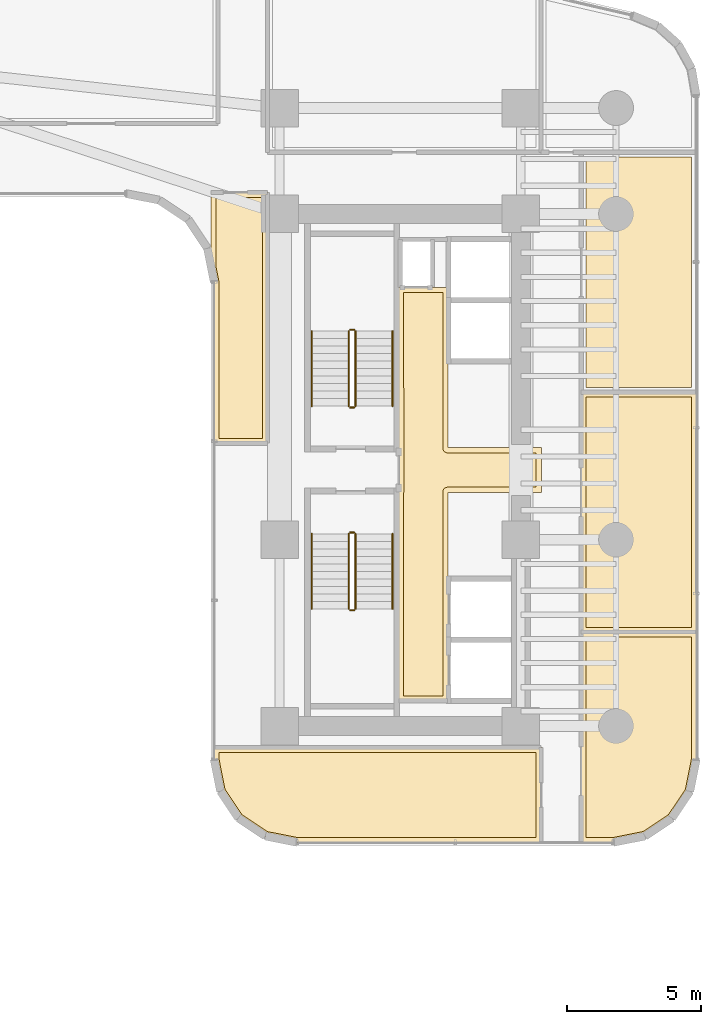
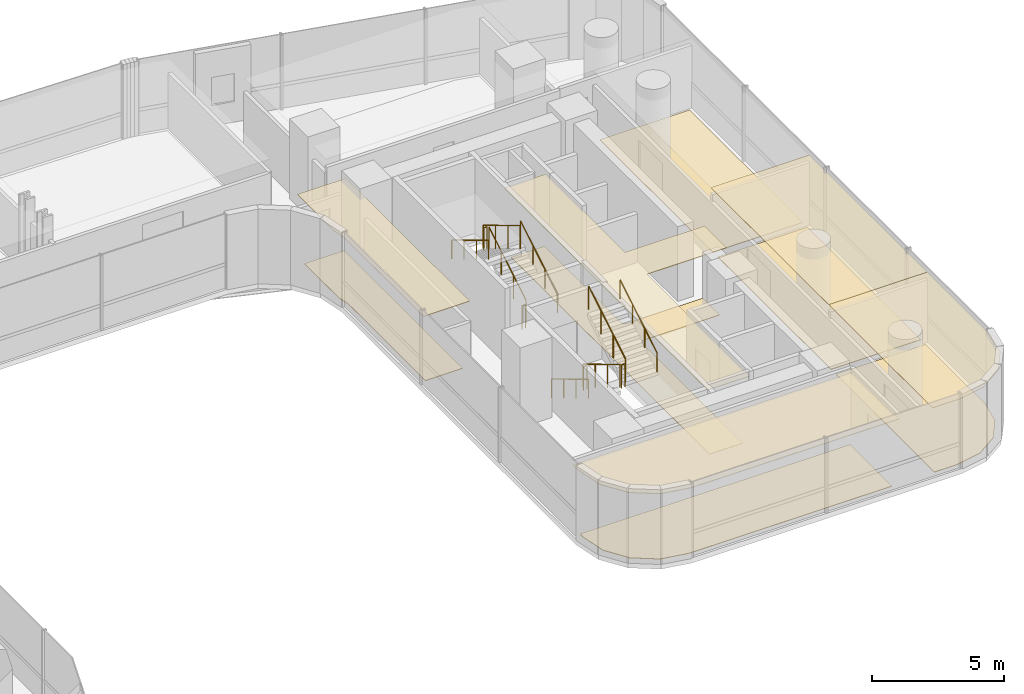
# One storey, part 39 of 40: 12 railings, 11 coverings.
"""IFC4 building model written with IfcOpenShell, lengths in metres."""

from ifc_helpers import new_model, si_unit, direction, frame, origin, origin_2d, place, context, subcontext, project, spatial, polyline, circle, outline, extrude, material, layer, layer_set, type_object, element, save


model = new_model("IFC4")

# Units and contexts
model_context = context("Model", 3, precision=1e-05, world=origin(), true_north=direction((0.0, 1.0)))
body_context = subcontext(model_context, "Body", "Model", "MODEL_VIEW")
ifc_project = project(units=[si_unit("LENGTHUNIT", "METRE"), si_unit("AREAUNIT", "SQUARE_METRE"), si_unit("VOLUMEUNIT", "CUBIC_METRE"), si_unit("PLANEANGLEUNIT", "RADIAN"), si_unit("MASSUNIT", "GRAM", prefix="KILO")], contexts=[model_context])

# Site, building, storey
site_placement = place(None, origin())
site = spatial("IfcSite", under=ifc_project, at=site_placement, CompositionType="ELEMENT")
building_placement = place(site_placement, origin())
building = spatial("IfcBuilding", under=site, at=building_placement, Name="Valdorenza Pilgrim Sanctuary Tower", CompositionType="ELEMENT")
storey_placement = place(building_placement, frame((0.0, 0.0, 81.5)))
storey = spatial("IfcBuildingStorey", under=building, at=storey_placement, Name="L20", CompositionType="ELEMENT", Elevation=81.5)

# Coverings
ifc_material_1 = material(Name="Micro-perforated acoustic mineral ceiling tile", Category="gypsum")
ifc_layer_1 = layer(ifc_material_1, 0.02490234375, Name="Micro-perforated acoustic mineral ceiling tile")
ifc_layer_set_1 = layer_set([ifc_layer_1], Name="Micro-perforated acoustic mineral ceiling tile")
covering_type_1 = type_object("IfcCoveringType", Name="COV-CLG-ACU", PredefinedType="CEILING", material=ifc_layer_set_1)
covering_1_placement = place(storey_placement, frame((0.0, 0.0, 3.159912109375)))
element("IfcCovering", 1, at=covering_1_placement, inside=storey, type_object=covering_type_1, Name="L20 Core B Passenger Lift Lobby Acoustic Ceiling", PredefinedType="CEILING", context=body_context, shape_type="SweptSolid", body=[
    extrude(outline(polyline([(20.287109375, -0.814697265625), (20.287109375, 0.814697265625), (20.28662109375, 0.815185546875), (20.2861328125, 0.81640625), (20.28564453125, 0.81787109375), (20.285400390625, 0.819091796875), (20.28515625, 0.820556640625), (20.284912109375, 0.822021484375), (20.284912109375, 6.800048828125), (20.28515625, 6.801513671875), (20.285400390625, 6.802978515625), (20.28564453125, 6.804443359375), (20.2861328125, 6.8056640625), (20.286865234375, 6.80712890625), (20.28759765625, 6.808349609375), (20.288330078125, 6.8095703125), (20.289306640625, 6.810546875), (20.29052734375, 6.8115234375), (20.291748046875, 6.8125), (20.29296875, 6.813232421875), (20.294189453125, 6.81396484375), (20.295654296875, 6.814453125), (20.297119140625, 6.814697265625), (20.298583984375, 6.81494140625), (20.300048828125, 6.81494140625), (20.347900390625, 6.81494140625), (20.349365234375, 6.81494140625), (20.350830078125, 6.814697265625), (20.352294921875, 6.814453125), (20.353515625, 6.81396484375), (20.35498046875, 6.813232421875), (20.35546875, 6.81298828125), (21.544677734375, 6.81298828125), (21.545166015625, 6.813232421875), (21.54638671875, 6.81396484375), (21.5478515625, 6.814453125), (21.54931640625, 6.814697265625), (21.550537109375, 6.81494140625), (21.552001953125, 6.81494140625), (22.1201171875, 6.81494140625), (22.12158203125, 6.81494140625), (22.122802734375, 6.814697265625), (22.12451171875, 6.814453125), (22.125732421875, 6.81396484375), (22.127197265625, 6.813232421875), (22.12841796875, 6.8125), (22.12939453125, 6.8115234375), (22.130615234375, 6.810546875), (22.131591796875, 6.8095703125), (22.132568359375, 6.808349609375), (22.13330078125, 6.80712890625), (22.1337890625, 6.8056640625), (22.134521484375, 6.804443359375), (22.134765625, 6.802978515625), (22.135009765625, 6.801513671875), (22.135009765625, 6.800048828125), (22.135009765625, 0.8349609375), (25.60009765625, 0.8349609375), (25.6015625, 0.8349609375), (25.602783203125, 0.834716796875), (25.6044921875, 0.83447265625), (25.605712890625, 0.833984375), (25.607177734375, 0.833251953125), (25.6083984375, 0.83251953125), (25.609619140625, 0.83154296875), (25.610595703125, 0.83056640625), (25.611572265625, 0.82958984375), (25.612548828125, 0.828369140625), (25.61328125, 0.8271484375), (25.614013671875, 0.82568359375), (25.614501953125, 0.824462890625), (25.61474609375, 0.822998046875), (25.614990234375, 0.821533203125), (25.614990234375, 0.820068359375), (25.614990234375, -0.820068359375), (25.614990234375, -0.821533203125), (25.61474609375, -0.822998046875), (25.614501953125, -0.824462890625), (25.614013671875, -0.82568359375), (25.61328125, -0.8271484375), (25.612548828125, -0.828369140625), (25.611572265625, -0.82958984375), (25.610595703125, -0.83056640625), (25.609619140625, -0.83154296875), (25.6083984375, -0.83251953125), (25.607177734375, -0.833251953125), (25.605712890625, -0.833984375), (25.6044921875, -0.83447265625), (25.602783203125, -0.834716796875), (25.6015625, -0.8349609375), (25.60009765625, -0.8349609375), (22.135009765625, -0.8349609375), (22.135009765625, -8.60009765625), (22.135009765625, -8.6015625), (22.134765625, -8.602783203125), (22.134521484375, -8.6044921875), (22.1337890625, -8.605712890625), (22.13330078125, -8.607177734375), (22.132568359375, -8.6083984375), (22.131591796875, -8.609619140625), (22.130615234375, -8.610595703125), (22.12939453125, -8.611572265625), (22.12841796875, -8.612548828125), (22.127197265625, -8.61328125), (22.125732421875, -8.614013671875), (22.12451171875, -8.614501953125), (22.122802734375, -8.61474609375), (22.12158203125, -8.614990234375), (22.1201171875, -8.614990234375), (20.300048828125, -8.614990234375), (20.298583984375, -8.614990234375), (20.297119140625, -8.61474609375), (20.295654296875, -8.614501953125), (20.294189453125, -8.614013671875), (20.29296875, -8.61328125), (20.291748046875, -8.612548828125), (20.29052734375, -8.611572265625), (20.289306640625, -8.610595703125), (20.288330078125, -8.609619140625), (20.28759765625, -8.6083984375), (20.286865234375, -8.607177734375), (20.2861328125, -8.605712890625), (20.28564453125, -8.6044921875), (20.285400390625, -8.602783203125), (20.28515625, -8.6015625), (20.284912109375, -8.60009765625), (20.284912109375, -0.822021484375), (20.28515625, -0.820556640625), (20.285400390625, -0.819091796875), (20.28564453125, -0.81787109375), (20.2861328125, -0.81640625), (20.28662109375, -0.815185546875), (20.287109375, -0.814697265625)])), origin(), (0.0, 0.0, 1.0), 0.025146484375),
])
covering_2_placement = place(storey_placement, frame((0.0, 0.0, 3.159912109375)))
element("IfcCovering", 2, at=covering_2_placement, inside=storey, type_object=covering_type_1, Name="L20 Theological Reference Library L20-BS Acoustic Ceiling", PredefinedType="CEILING", context=body_context, shape_type="SweptSolid", body=[
    extrude(outline(polyline([(25.614990234375, -13.889892578125), (25.614990234375, -13.8916015625), (25.61474609375, -13.892822265625), (25.614501953125, -13.894287109375), (25.614013671875, -13.895751953125), (25.61328125, -13.897216796875), (25.612548828125, -13.898193359375), (25.611572265625, -13.8994140625), (25.610595703125, -13.900634765625), (25.609619140625, -13.901611328125), (25.6083984375, -13.902587890625), (25.607177734375, -13.9033203125), (25.605712890625, -13.90380859375), (25.6044921875, -13.904296875), (25.602783203125, -13.90478515625), (25.6015625, -13.90478515625), (25.60009765625, -13.905029296875), (16.5107421875, -13.905029296875), (16.509521484375, -13.90478515625), (16.5078125, -13.90478515625), (15.3154296875, -13.66748046875), (15.31396484375, -13.6669921875), (15.3125, -13.66650390625), (15.311279296875, -13.666015625), (15.31005859375, -13.665283203125), (14.308349609375, -12.995849609375), (14.30712890625, -12.9951171875), (14.305908203125, -12.993896484375), (14.304931640625, -12.992919921875), (14.30419921875, -12.99169921875), (13.634765625, -11.989990234375), (13.634033203125, -11.98876953125), (13.63330078125, -11.9873046875), (13.6328125, -11.986083984375), (13.632568359375, -11.984619140625), (13.395263671875, -10.7919921875), (13.39501953125, -10.79052734375), (13.39501953125, -10.789306640625), (13.39501953125, -10.35009765625), (13.39501953125, -10.348388671875), (13.395263671875, -10.34716796875), (13.3955078125, -10.345703125), (13.39599609375, -10.34423828125), (13.396728515625, -10.343017578125), (13.3974609375, -10.341796875), (13.3984375, -10.340576171875), (13.3994140625, -10.33935546875), (13.400390625, -10.33837890625), (13.401611328125, -10.33740234375), (13.40283203125, -10.3369140625), (13.404296875, -10.336181640625), (13.405517578125, -10.335693359375), (13.406982421875, -10.335205078125), (13.408447265625, -10.335205078125), (13.409912109375, -10.3349609375), (25.60009765625, -10.3349609375), (25.6015625, -10.335205078125), (25.602783203125, -10.335205078125), (25.6044921875, -10.335693359375), (25.605712890625, -10.336181640625), (25.607177734375, -10.3369140625), (25.6083984375, -10.33740234375), (25.609619140625, -10.33837890625), (25.610595703125, -10.33935546875), (25.611572265625, -10.340576171875), (25.612548828125, -10.341796875), (25.61328125, -10.343017578125), (25.614013671875, -10.34423828125), (25.614501953125, -10.345703125), (25.61474609375, -10.34716796875), (25.614990234375, -10.348388671875), (25.614990234375, -10.35009765625), (25.614990234375, -13.889892578125)])), origin(), (0.0, 0.0, 1.0), 0.025146484375),
])
covering_3_placement = place(storey_placement, frame((0.0, 0.0, 3.159912109375)))
element("IfcCovering", 3, at=covering_3_placement, inside=storey, type_object=covering_type_1, Name="L20 East Reading Lounge L20-EB1 Acoustic Ceiling", PredefinedType="CEILING", context=body_context, shape_type="SweptSolid", body=[
    extrude(outline(polyline([(31.389892578125, -6.034912109375), (31.3916015625, -6.03515625), (31.392822265625, -6.035400390625), (31.394287109375, -6.03564453125), (31.395751953125, -6.0361328125), (31.397216796875, -6.036865234375), (31.398193359375, -6.03759765625), (31.3994140625, -6.038330078125), (31.400634765625, -6.039306640625), (31.401611328125, -6.04052734375), (31.402587890625, -6.041748046875), (31.4033203125, -6.04296875), (31.40380859375, -6.044189453125), (31.404296875, -6.045654296875), (31.40478515625, -6.047119140625), (31.40478515625, -6.048583984375), (31.405029296875, -6.050048828125), (31.405029296875, -10.789306640625), (31.40478515625, -10.79052734375), (31.40478515625, -10.7919921875), (31.16748046875, -11.984619140625), (31.1669921875, -11.986083984375), (31.16650390625, -11.9873046875), (31.166015625, -11.98876953125), (31.165283203125, -11.989990234375), (30.495849609375, -12.99169921875), (30.4951171875, -12.992919921875), (30.493896484375, -12.993896484375), (30.492919921875, -12.9951171875), (30.49169921875, -12.995849609375), (29.489990234375, -13.665283203125), (29.48876953125, -13.666015625), (29.4873046875, -13.66650390625), (29.486083984375, -13.6669921875), (29.484619140625, -13.66748046875), (28.2919921875, -13.90478515625), (28.29052734375, -13.90478515625), (28.289306640625, -13.905029296875), (27.10009765625, -13.905029296875), (27.098388671875, -13.90478515625), (27.09716796875, -13.90478515625), (27.095703125, -13.904296875), (27.09423828125, -13.90380859375), (27.093017578125, -13.9033203125), (27.091796875, -13.902587890625), (27.090576171875, -13.901611328125), (27.08935546875, -13.900634765625), (27.08837890625, -13.8994140625), (27.08740234375, -13.898193359375), (27.0869140625, -13.897216796875), (27.086181640625, -13.895751953125), (27.085693359375, -13.894287109375), (27.085205078125, -13.892822265625), (27.085205078125, -13.8916015625), (27.0849609375, -13.889892578125), (27.0849609375, -6.050048828125), (27.085205078125, -6.048583984375), (27.085205078125, -6.047119140625), (27.085693359375, -6.045654296875), (27.086181640625, -6.044189453125), (27.0869140625, -6.04296875), (27.08740234375, -6.041748046875), (27.08837890625, -6.04052734375), (27.08935546875, -6.039306640625), (27.090576171875, -6.038330078125), (27.091796875, -6.03759765625), (27.093017578125, -6.036865234375), (27.09423828125, -6.0361328125), (27.095703125, -6.03564453125), (27.09716796875, -6.035400390625), (27.098388671875, -6.03515625), (27.10009765625, -6.034912109375), (31.389892578125, -6.034912109375)])), origin(), (0.0, 0.0, 1.0), 0.025146484375),
])
covering_4_placement = place(storey_placement, frame((0.0, 0.0, 3.159912109375)))
element("IfcCovering", 4, at=covering_4_placement, inside=storey, type_object=covering_type_1, Name="L20 East Reading Lounge L20-EB2 Acoustic Ceiling", PredefinedType="CEILING", context=body_context, shape_type="SweptSolid", body=[
    extrude(outline(polyline([(27.0849609375, 2.89990234375), (27.085205078125, 2.901611328125), (27.085205078125, 2.90283203125), (27.085693359375, 2.904296875), (27.086181640625, 2.90576171875), (27.0869140625, 2.906982421875), (27.08740234375, 2.908203125), (27.08837890625, 2.909423828125), (27.08935546875, 2.91064453125), (27.090576171875, 2.91162109375), (27.091796875, 2.91259765625), (27.093017578125, 2.9130859375), (27.09423828125, 2.913818359375), (27.095703125, 2.914306640625), (27.09716796875, 2.914794921875), (27.098388671875, 2.914794921875), (27.10009765625, 2.9150390625), (31.389892578125, 2.9150390625), (31.3916015625, 2.914794921875), (31.392822265625, 2.914794921875), (31.394287109375, 2.914306640625), (31.395751953125, 2.913818359375), (31.397216796875, 2.9130859375), (31.398193359375, 2.91259765625), (31.3994140625, 2.91162109375), (31.400634765625, 2.91064453125), (31.401611328125, 2.909423828125), (31.402587890625, 2.908203125), (31.4033203125, 2.906982421875), (31.40380859375, 2.90576171875), (31.404296875, 2.904296875), (31.40478515625, 2.90283203125), (31.40478515625, 2.901611328125), (31.405029296875, 2.89990234375), (31.405029296875, -6.048095703125), (31.40478515625, -6.049560546875), (31.40478515625, -6.05078125), (31.404296875, -6.052490234375), (31.40380859375, -6.0537109375), (31.4033203125, -6.05517578125), (31.402587890625, -6.056396484375), (31.401611328125, -6.0576171875), (31.400634765625, -6.05859375), (31.3994140625, -6.0595703125), (31.398193359375, -6.060546875), (31.397216796875, -6.061279296875), (31.395751953125, -6.06201171875), (31.394287109375, -6.0625), (31.392822265625, -6.062744140625), (31.3916015625, -6.06298828125), (31.389892578125, -6.06298828125), (27.10009765625, -6.06298828125), (27.098388671875, -6.06298828125), (27.09716796875, -6.062744140625), (27.095703125, -6.0625), (27.09423828125, -6.06201171875), (27.093017578125, -6.061279296875), (27.091796875, -6.060546875), (27.090576171875, -6.0595703125), (27.08935546875, -6.05859375), (27.08837890625, -6.0576171875), (27.08740234375, -6.056396484375), (27.0869140625, -6.05517578125), (27.086181640625, -6.0537109375), (27.085693359375, -6.052490234375), (27.085205078125, -6.05078125), (27.085205078125, -6.049560546875), (27.0849609375, -6.048095703125), (27.0849609375, 2.89990234375)])), origin(), (0.0, 0.0, 1.0), 0.025146484375),
])
covering_5_placement = place(storey_placement, frame((0.0, 0.0, 3.159912109375)))
element("IfcCovering", 5, at=covering_5_placement, inside=storey, type_object=covering_type_1, Name="L20 Courtyard Overlook Salon L20 Acoustic Ceiling", PredefinedType="CEILING", context=body_context, shape_type="SweptSolid", body=[
    extrude(outline(polyline([(15.39990234375, 10.364990234375), (15.401611328125, 10.364990234375), (15.40283203125, 10.36474609375), (15.404296875, 10.364501953125), (15.40576171875, 10.364013671875), (15.406982421875, 10.36328125), (15.408203125, 10.362548828125), (15.409423828125, 10.361572265625), (15.41064453125, 10.360595703125), (15.41162109375, 10.359619140625), (15.41259765625, 10.3583984375), (15.4130859375, 10.357177734375), (15.413818359375, 10.355712890625), (15.414306640625, 10.3544921875), (15.414794921875, 10.352783203125), (15.414794921875, 10.3515625), (15.4150390625, 10.35009765625), (15.4150390625, 1.0), (15.414794921875, 0.99853515625), (15.414794921875, 0.9970703125), (15.414306640625, 0.99560546875), (15.413818359375, 0.994384765625), (15.4130859375, 0.992919921875), (15.41259765625, 0.99169921875), (15.41162109375, 0.990478515625), (15.41064453125, 0.989501953125), (15.409423828125, 0.98828125), (15.408203125, 0.987548828125), (15.406982421875, 0.98681640625), (15.40576171875, 0.986083984375), (15.404296875, 0.985595703125), (15.40283203125, 0.9853515625), (15.401611328125, 0.985107421875), (15.39990234375, 0.985107421875), (13.409912109375, 0.985107421875), (13.408447265625, 0.985107421875), (13.406982421875, 0.9853515625), (13.405517578125, 0.985595703125), (13.404296875, 0.986083984375), (13.40283203125, 0.98681640625), (13.401611328125, 0.987548828125), (13.400390625, 0.98828125), (13.3994140625, 0.989501953125), (13.3984375, 0.990478515625), (13.3974609375, 0.99169921875), (13.396728515625, 0.992919921875), (13.39599609375, 0.994384765625), (13.3955078125, 0.99560546875), (13.395263671875, 0.9970703125), (13.39501953125, 0.99853515625), (13.39501953125, 1.0), (13.39501953125, 6.99951171875), (13.39453125, 7.00927734375), (13.39306640625, 7.018798828125), (13.285400390625, 7.560791015625), (13.28515625, 7.562255859375), (13.284912109375, 7.563720703125), (13.284912109375, 10.35009765625), (13.28515625, 10.3515625), (13.285400390625, 10.352783203125), (13.28564453125, 10.3544921875), (13.2861328125, 10.355712890625), (13.286865234375, 10.357177734375), (13.28759765625, 10.3583984375), (13.288330078125, 10.359619140625), (13.289306640625, 10.360595703125), (13.29052734375, 10.361572265625), (13.291748046875, 10.362548828125), (13.29296875, 10.36328125), (13.294189453125, 10.364013671875), (13.295654296875, 10.364501953125), (13.297119140625, 10.36474609375), (13.298583984375, 10.364990234375), (13.300048828125, 10.364990234375), (15.39990234375, 10.364990234375)])), origin(), (0.0, 0.0, 1.0), 0.025146484375),
])
ifc_material_2 = material(Name="Honed travertine stone flooring", Category="masonry")
ifc_layer_2 = layer(ifc_material_2, 0.030029296875, Name="Honed travertine stone flooring")
ifc_layer_set_2 = layer_set([ifc_layer_2], Name="Honed travertine stone flooring")
covering_type_2 = type_object("IfcCoveringType", Name="COV-FLR-TRV", PredefinedType="FLOORING", material=ifc_layer_set_2)
covering_6_placement = place(storey_placement, origin())
element("IfcCovering", 6, at=covering_6_placement, inside=storey, type_object=covering_type_2, Name="L20 Core B Passenger Lift Lobby Flooring", PredefinedType="FLOORING", context=body_context, shape_type="SweptSolid", body=[
    extrude(outline(polyline([(20.47998046875, 6.617919921875), (21.550048828125, 6.617919921875), (21.550537109375, 6.617919921875), (21.93994140625, 6.619384765625), (21.93994140625, 0.820068359375), (21.94091796875, 0.802490234375), (21.943603515625, 0.784912109375), (21.94775390625, 0.767578125), (21.95361328125, 0.751220703125), (21.961181640625, 0.735107421875), (21.97021484375, 0.719970703125), (21.98095703125, 0.705810546875), (21.99267578125, 0.692626953125), (22.005859375, 0.680908203125), (22.02001953125, 0.67041015625), (22.03515625, 0.661376953125), (22.051025390625, 0.65380859375), (22.067626953125, 0.647705078125), (22.0849609375, 0.6435546875), (22.102294921875, 0.640869140625), (22.1201171875, 0.639892578125), (25.419921875, 0.639892578125), (25.419921875, -0.639892578125), (22.1201171875, -0.639892578125), (22.102294921875, -0.640869140625), (22.0849609375, -0.6435546875), (22.067626953125, -0.647705078125), (22.051025390625, -0.65380859375), (22.03515625, -0.661376953125), (22.02001953125, -0.67041015625), (22.005859375, -0.680908203125), (21.99267578125, -0.692626953125), (21.98095703125, -0.705810546875), (21.97021484375, -0.719970703125), (21.961181640625, -0.735107421875), (21.95361328125, -0.751220703125), (21.94775390625, -0.767578125), (21.943603515625, -0.784912109375), (21.94091796875, -0.802490234375), (21.93994140625, -0.820068359375), (21.93994140625, -8.419921875), (20.47998046875, -8.419921875), (20.47998046875, -0.846923828125), (20.47998046875, -0.8466796875), (20.47998046875, -0.8466796875), (20.481689453125, -0.8291015625), (20.481689453125, -0.828857421875), (20.48193359375, -0.820068359375), (20.48193359375, 0.820068359375), (20.47998046875, 6.617919921875)])), origin(), (0.0, 0.0, 1.0), 0.02490234375),
])
covering_7_placement = place(storey_placement, origin())
element("IfcCovering", 7, at=covering_7_placement, inside=storey, type_object=covering_type_2, Name="L20 Theological Reference Library L20-BS Flooring", PredefinedType="FLOORING", context=body_context, shape_type="SweptSolid", body=[
    extrude(outline(polyline([(25.419921875, -13.7099609375), (16.528564453125, -13.7099609375), (15.388671875, -13.483154296875), (14.4462890625, -12.853515625), (13.81689453125, -11.911376953125), (13.590087890625, -10.771484375), (13.590087890625, -10.530029296875), (25.419921875, -10.530029296875), (25.419921875, -13.7099609375)])), origin(), (0.0, 0.0, 1.0), 0.02490234375),
])
covering_8_placement = place(storey_placement, origin())
element("IfcCovering", 8, at=covering_8_placement, inside=storey, type_object=covering_type_2, Name="L20 East Reading Lounge L20-EB1 Flooring", PredefinedType="FLOORING", context=body_context, shape_type="SweptSolid", body=[
    extrude(outline(polyline([(31.2099609375, -6.22998046875), (31.2099609375, -10.771484375), (30.983154296875, -11.911376953125), (30.353515625, -12.853515625), (29.411376953125, -13.483154296875), (28.271484375, -13.7099609375), (27.280029296875, -13.7099609375), (27.280029296875, -6.22998046875), (31.2099609375, -6.22998046875)])), origin(), (0.0, 0.0, 1.0), 0.02490234375),
])
covering_9_placement = place(storey_placement, origin())
element("IfcCovering", 9, at=covering_9_placement, inside=storey, type_object=covering_type_2, Name="L20 East Reading Lounge L20-EB2 Flooring", PredefinedType="FLOORING", context=body_context, shape_type="SweptSolid", body=[
    extrude(outline(polyline([(27.280029296875, 2.719970703125), (31.2099609375, 2.719970703125), (31.2099609375, -5.867919921875), (27.280029296875, -5.867919921875), (27.280029296875, 2.719970703125)])), origin(), (0.0, 0.0, 1.0), 0.02490234375),
])
covering_10_placement = place(storey_placement, origin())
element("IfcCovering", 10, at=covering_10_placement, inside=storey, type_object=covering_type_2, Name="L20 East Reading Lounge L20-EB3 Flooring", PredefinedType="FLOORING", context=body_context, shape_type="SweptSolid", body=[
    extrude(outline(polyline([(27.280029296875, 11.66796875), (31.2099609375, 11.66796875), (31.2099609375, 3.08203125), (27.280029296875, 3.08203125), (27.280029296875, 11.66796875)])), origin(), (0.0, 0.0, 1.0), 0.02490234375),
])
covering_11_placement = place(storey_placement, origin())
element("IfcCovering", 11, at=covering_11_placement, inside=storey, type_object=covering_type_2, Name="L20 Courtyard Overlook Salon L20 Flooring", PredefinedType="FLOORING", context=body_context, shape_type="SweptSolid", body=[
    extrude(outline(polyline([(15.219970703125, 10.169921875), (15.219970703125, 1.179931640625), (13.590087890625, 1.179931640625), (13.590087890625, 7.0), (13.58984375, 7.0087890625), (13.58935546875, 7.01953125), (13.58740234375, 7.037109375), (13.5859375, 7.0478515625), (13.58447265625, 7.056640625), (13.47998046875, 7.58154296875), (13.47998046875, 10.169921875), (15.219970703125, 10.169921875)])), origin(), (0.0, 0.0, 1.0), 0.02490234375),
])

# Railings
ifc_material_3 = material(Name="Stainless steel Grade 316", Category="steel")
railing_type_1 = type_object("IfcRailingType", Name="RLG-GRD-1120", PredefinedType="GUARDRAIL", material=ifc_material_3)
railing_1_placement = place(storey_placement, frame((18.679931640625, 2.3798828125, 0.168212890625)))
element("IfcRailing", 12, at=railing_1_placement, inside=storey, type_object=railing_type_1, Name="L20 ST-B1 stair guard 1", PredefinedType="GUARDRAIL", context=body_context, shape_type="SweptSolid", body=[
    extrude(circle(Radius=0.02392578125, at=origin_2d()), frame((0.0, 0.0, 1.076171875), z_axis=(0.0, 0.857242210791, 0.514913383045), x_axis=(-1.0, 0.0, 0.0)), (0.0, 0.0, 1.0), 3.266357421875),
    extrude(circle(Radius=0.02099609375, at=origin_2d()), origin(), (0.0, 0.0, 1.0), 1.052001953125),
    extrude(circle(Radius=0.02099609375, at=origin_2d()), frame((0.0, 0.933349609375, 0.560546875)), (0.0, 0.0, 1.0), 1.052001953125),
    extrude(circle(Radius=0.02099609375, at=origin_2d()), frame((0.0, 1.86669921875, 1.121337890625)), (0.0, 0.0, 1.0), 1.052001953125),
    extrude(circle(Radius=0.02099609375, at=origin_2d()), frame((0.0, 2.800048828125, 1.681884765625)), (0.0, 0.0, 1.0), 1.052001953125),
])
railing_2_placement = place(storey_placement, frame((18.6298828125, 5.22998046875, 1.85009765625)))
element("IfcRailing", 13, at=railing_2_placement, inside=storey, type_object=railing_type_1, Name="L20 ST-B1 stair guard 2", PredefinedType="GUARDRAIL", context=body_context, shape_type="SweptSolid", body=[
    extrude(circle(Radius=0.02392578125, at=origin_2d()), frame((0.0, 0.0, 1.076171875), z_axis=(-1.0, 0.0, 0.0), x_axis=(0.0, -1.0, 0.0)), (0.0, 0.0, 1.0), 0.14990234375),
    extrude(circle(Radius=0.02099609375, at=origin_2d()), origin(), (0.0, 0.0, 1.0), 1.052001953125),
    extrude(circle(Radius=0.02099609375, at=origin_2d()), frame((-0.14990234375, 0.0, 0.0)), (0.0, 0.0, 1.0), 1.052001953125),
])
railing_3_placement = place(storey_placement, frame((18.429931640625, 5.179931640625, 2.01806640625)))
element("IfcRailing", 14, at=railing_3_placement, inside=storey, type_object=railing_type_1, Name="L20 ST-B1 stair guard 3", PredefinedType="GUARDRAIL", context=body_context, shape_type="SweptSolid", body=[
    extrude(circle(Radius=0.02392578125, at=origin_2d()), frame((0.0, 0.0, 1.076171875), z_axis=(0.0, -0.857242210791, 0.514913383045), x_axis=(1.0, 0.0, 0.0)), (0.0, 0.0, 1.0), 3.266357421875),
    extrude(circle(Radius=0.02099609375, at=origin_2d()), origin(), (0.0, 0.0, 1.0), 1.052001953125),
    extrude(circle(Radius=0.02099609375, at=origin_2d()), frame((0.0, -0.933349609375, 0.560546875)), (0.0, 0.0, 1.0), 1.052001953125),
    extrude(circle(Radius=0.02099609375, at=origin_2d()), frame((0.0, -1.86669921875, 1.121337890625)), (0.0, 0.0, 1.0), 1.052001953125),
    extrude(circle(Radius=0.02099609375, at=origin_2d()), frame((0.0, -2.800048828125, 1.681884765625)), (0.0, 0.0, 1.0), 1.052001953125),
])
railing_4_placement = place(storey_placement, frame((18.6298828125, 2.330078125, 0.0)))
element("IfcRailing", 15, at=railing_4_placement, inside=storey, type_object=railing_type_1, Name="L20 ST-B1 stair guard 4", PredefinedType="GUARDRAIL", context=body_context, shape_type="SweptSolid", body=[
    extrude(circle(Radius=0.02392578125, at=origin_2d()), frame((0.0, 0.0, 1.076171875), z_axis=(-1.0, 0.0, 0.0), x_axis=(0.0, -1.0, 0.0)), (0.0, 0.0, 1.0), 0.14990234375),
    extrude(circle(Radius=0.02099609375, at=origin_2d()), origin(), (0.0, 0.0, 1.0), 1.052001953125),
    extrude(circle(Radius=0.02099609375, at=origin_2d()), frame((-0.14990234375, 0.0, 0.0)), (0.0, 0.0, 1.0), 1.052001953125),
])
railing_5_placement = place(storey_placement, frame((18.429931640625, -2.3798828125, 0.168212890625)))
element("IfcRailing", 16, at=railing_5_placement, inside=storey, type_object=railing_type_1, Name="L20 ST-B2 stair guard 1", PredefinedType="GUARDRAIL", context=body_context, shape_type="SweptSolid", body=[
    extrude(circle(Radius=0.02392578125, at=origin_2d()), frame((0.0, 0.0, 1.076171875), z_axis=(0.0, -0.857242210791, 0.514913383045), x_axis=(1.0, 0.0, 0.0)), (0.0, 0.0, 1.0), 3.266357421875),
    extrude(circle(Radius=0.02099609375, at=origin_2d()), origin(), (0.0, 0.0, 1.0), 1.052001953125),
    extrude(circle(Radius=0.02099609375, at=origin_2d()), frame((0.0, -0.933349609375, 0.560546875)), (0.0, 0.0, 1.0), 1.052001953125),
    extrude(circle(Radius=0.02099609375, at=origin_2d()), frame((0.0, -1.86669921875, 1.121337890625)), (0.0, 0.0, 1.0), 1.052001953125),
    extrude(circle(Radius=0.02099609375, at=origin_2d()), frame((0.0, -2.800048828125, 1.681884765625)), (0.0, 0.0, 1.0), 1.052001953125),
])
railing_6_placement = place(storey_placement, frame((18.47998046875, -5.22998046875, 1.85009765625)))
element("IfcRailing", 17, at=railing_6_placement, inside=storey, type_object=railing_type_1, Name="L20 ST-B2 stair guard 2", PredefinedType="GUARDRAIL", context=body_context, shape_type="SweptSolid", body=[
    extrude(circle(Radius=0.02392578125, at=origin_2d()), frame((0.0, 0.0, 1.076171875), z_axis=(1.0, 0.0, 0.0), x_axis=(0.0, 1.0, 0.0)), (0.0, 0.0, 1.0), 0.14990234375),
    extrude(circle(Radius=0.02099609375, at=origin_2d()), origin(), (0.0, 0.0, 1.0), 1.052001953125),
    extrude(circle(Radius=0.02099609375, at=origin_2d()), frame((0.14990234375, 0.0, 0.0)), (0.0, 0.0, 1.0), 1.052001953125),
])
railing_7_placement = place(storey_placement, frame((18.679931640625, -5.179931640625, 2.01806640625)))
element("IfcRailing", 18, at=railing_7_placement, inside=storey, type_object=railing_type_1, Name="L20 ST-B2 stair guard 3", PredefinedType="GUARDRAIL", context=body_context, shape_type="SweptSolid", body=[
    extrude(circle(Radius=0.02392578125, at=origin_2d()), frame((0.0, 0.0, 1.076171875), z_axis=(0.0, 0.857242210791, 0.514913383045), x_axis=(-1.0, 0.0, 0.0)), (0.0, 0.0, 1.0), 3.266357421875),
    extrude(circle(Radius=0.02099609375, at=origin_2d()), origin(), (0.0, 0.0, 1.0), 1.052001953125),
    extrude(circle(Radius=0.02099609375, at=origin_2d()), frame((0.0, 0.933349609375, 0.560546875)), (0.0, 0.0, 1.0), 1.052001953125),
    extrude(circle(Radius=0.02099609375, at=origin_2d()), frame((0.0, 1.86669921875, 1.121337890625)), (0.0, 0.0, 1.0), 1.052001953125),
    extrude(circle(Radius=0.02099609375, at=origin_2d()), frame((0.0, 2.800048828125, 1.681884765625)), (0.0, 0.0, 1.0), 1.052001953125),
])
railing_8_placement = place(storey_placement, frame((18.47998046875, -2.330078125, 0.0)))
element("IfcRailing", 19, at=railing_8_placement, inside=storey, type_object=railing_type_1, Name="L20 ST-B2 stair guard 4", PredefinedType="GUARDRAIL", context=body_context, shape_type="SweptSolid", body=[
    extrude(circle(Radius=0.02392578125, at=origin_2d()), frame((0.0, 0.0, 1.076171875), z_axis=(1.0, 0.0, 0.0), x_axis=(0.0, 1.0, 0.0)), (0.0, 0.0, 1.0), 0.14990234375),
    extrude(circle(Radius=0.02099609375, at=origin_2d()), origin(), (0.0, 0.0, 1.0), 1.052001953125),
    extrude(circle(Radius=0.02099609375, at=origin_2d()), frame((0.14990234375, 0.0, 0.0)), (0.0, 0.0, 1.0), 1.052001953125),
])
ifc_material_4 = material(Name="Brushed stainless steel Grade 316", Category="steel")
railing_type_2 = type_object("IfcRailingType", Name="RLG-HND-920", PredefinedType="HANDRAIL", material=ifc_material_4)
railing_9_placement = place(storey_placement, frame((20.06005859375, 2.3798828125, 0.168212890625)))
element("IfcRailing", 20, at=railing_9_placement, inside=storey, type_object=railing_type_2, Name="L20 ST-B1 stair handrail 1", PredefinedType="HANDRAIL", context=body_context, shape_type="SweptSolid", body=[
    extrude(circle(Radius=0.02392578125, at=origin_2d()), frame((0.0, 0.0, 0.8759765625), z_axis=(0.0, 0.857242210791, 0.514913383045), x_axis=(-1.0, 0.0, 0.0)), (0.0, 0.0, 1.0), 3.266357421875),
    extrude(circle(Radius=0.02099609375, at=origin_2d()), origin(), (0.0, 0.0, 1.0), 0.851806640625),
    extrude(circle(Radius=0.02099609375, at=origin_2d()), frame((0.0, 0.933349609375, 0.560546875)), (0.0, 0.0, 1.0), 0.851806640625),
    extrude(circle(Radius=0.02099609375, at=origin_2d()), frame((0.0, 1.86669921875, 1.121337890625)), (0.0, 0.0, 1.0), 0.851806640625),
    extrude(circle(Radius=0.02099609375, at=origin_2d()), frame((0.0, 2.800048828125, 1.681884765625)), (0.0, 0.0, 1.0), 0.851806640625),
])
for number, where, name in (
    (21, (17.050048828125, 5.179931640625, 2.01806640625), "L20 ST-B1 stair handrail 2"),
    (22, (17.050048828125, -2.3798828125, 0.168212890625), "L20 ST-B2 stair handrail 1"),
):
    element("IfcRailing", number, at=place(storey_placement, frame(where)), inside=storey, type_object=railing_type_2, Name=name, PredefinedType="HANDRAIL", context=body_context, shape_type="SweptSolid", body=[
        extrude(circle(Radius=0.02392578125, at=origin_2d()), frame((0.0, 0.0, 0.8759765625), z_axis=(0.0, -0.857242210791, 0.514913383045), x_axis=(1.0, 0.0, 0.0)), (0.0, 0.0, 1.0), 3.266357421875),
        extrude(circle(Radius=0.02099609375, at=origin_2d()), origin(), (0.0, 0.0, 1.0), 0.851806640625),
        extrude(circle(Radius=0.02099609375, at=origin_2d()), frame((0.0, -0.933349609375, 0.560546875)), (0.0, 0.0, 1.0), 0.851806640625),
        extrude(circle(Radius=0.02099609375, at=origin_2d()), frame((0.0, -1.86669921875, 1.121337890625)), (0.0, 0.0, 1.0), 0.851806640625),
        extrude(circle(Radius=0.02099609375, at=origin_2d()), frame((0.0, -2.800048828125, 1.681884765625)), (0.0, 0.0, 1.0), 0.851806640625),
    ])
railing_10_placement = place(storey_placement, frame((20.06005859375, -5.179931640625, 2.01806640625)))
element("IfcRailing", 23, at=railing_10_placement, inside=storey, type_object=railing_type_2, Name="L20 ST-B2 stair handrail 2", PredefinedType="HANDRAIL", context=body_context, shape_type="SweptSolid", body=[
    extrude(circle(Radius=0.02392578125, at=origin_2d()), frame((0.0, 0.0, 0.8759765625), z_axis=(0.0, 0.857242210791, 0.514913383045), x_axis=(-1.0, 0.0, 0.0)), (0.0, 0.0, 1.0), 3.266357421875),
    extrude(circle(Radius=0.02099609375, at=origin_2d()), origin(), (0.0, 0.0, 1.0), 0.851806640625),
    extrude(circle(Radius=0.02099609375, at=origin_2d()), frame((0.0, 0.933349609375, 0.560546875)), (0.0, 0.0, 1.0), 0.851806640625),
    extrude(circle(Radius=0.02099609375, at=origin_2d()), frame((0.0, 1.86669921875, 1.121337890625)), (0.0, 0.0, 1.0), 0.851806640625),
    extrude(circle(Radius=0.02099609375, at=origin_2d()), frame((0.0, 2.800048828125, 1.681884765625)), (0.0, 0.0, 1.0), 0.851806640625),
])

save(model, "model.ifc")
